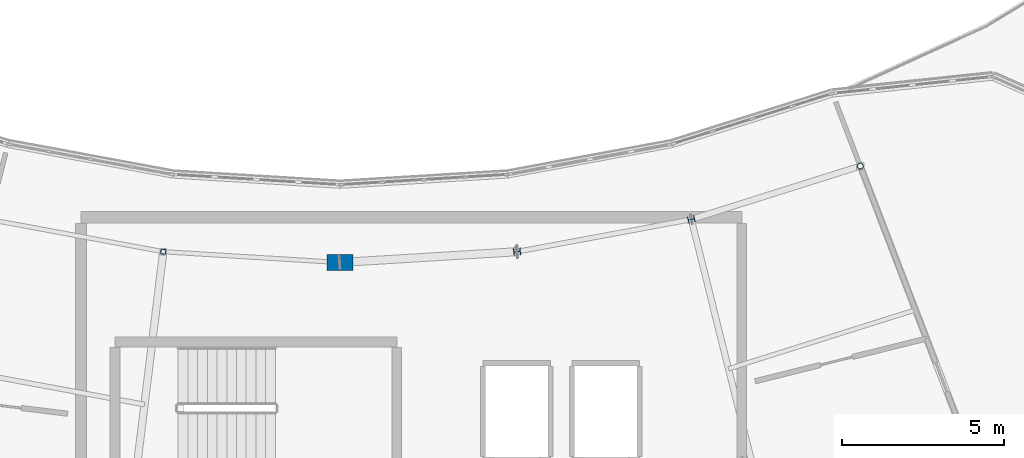
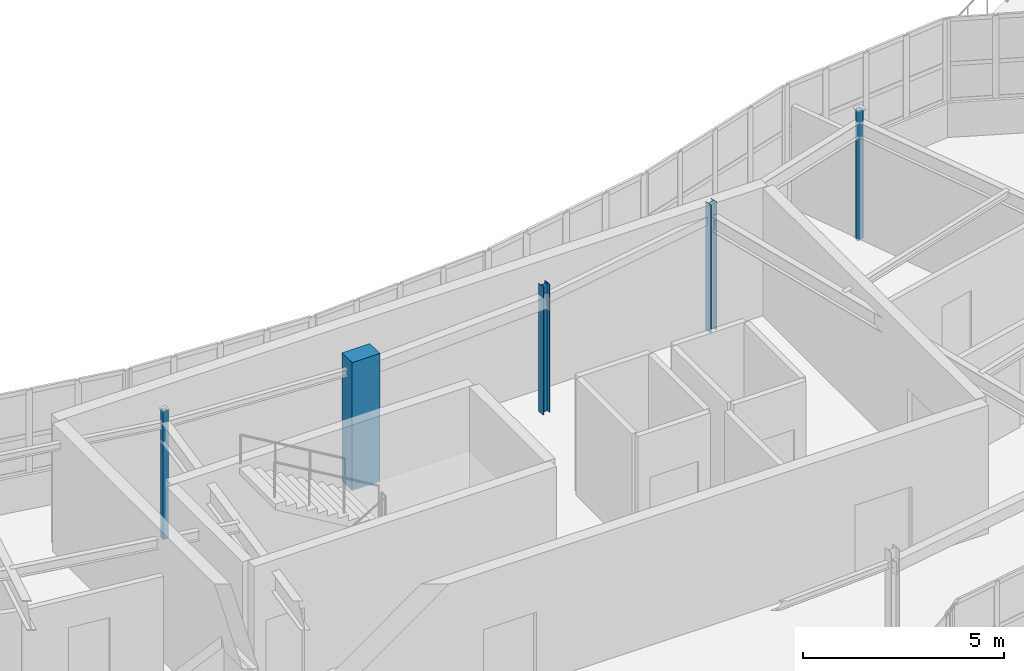
# One storey, part 5 of 65: 5 columns.
"""IFC4 building model written with IfcOpenShell, lengths in metres."""

import ifcopenshell
import ifcopenshell.guid

model = None  # the IFC model being written
_history = None  # IfcOwnerHistory: only IFC2X3 demands one
_inside = {}  # id of a spatial element -> (the spatial element, [elements in it])
_under = {}  # id of a project, library or spatial element -> (it, [spatial elements below it])
_declared = {}  # id of a project -> (the project, [libraries it declares])
_typed = {}  # id of a type object -> (the type object, [elements of that type])
_made_of = {}  # id of a material, layer set ... -> (it, [elements and type objects made of it])


def new_model(schema):
    """Start an empty IFC model of exactly this schema.

    Asked for "IFC4X3", IfcOpenShell would pick the latest addendum, in which some entities
    have other attributes; the version numbers below select the first issue.
    IFC2X3 requires an IfcOwnerHistory on every rooted entity: one is made here for all.
    """
    global model, _history
    if schema == "IFC4X3":
        model = ifcopenshell.file(schema_version=(4, 3, 0, 0))
    else:
        model = ifcopenshell.file(schema=schema)
    _inside.clear()
    _under.clear()
    _declared.clear()
    _typed.clear()
    _made_of.clear()
    _history = None
    if model.schema == "IFC2X3":
        org = make("IfcOrganization", Name="unknown")
        user = make(
            "IfcPersonAndOrganization",
            ThePerson=make("IfcPerson", FamilyName="unknown"),
            TheOrganization=org,
        )
        app = make(
            "IfcApplication",
            ApplicationDeveloper=org,
            Version="unknown",
            ApplicationFullName="unknown",
            ApplicationIdentifier="unknown",
        )
        _history = make(
            "IfcOwnerHistory",
            OwningUser=user,
            OwningApplication=app,
            ChangeAction="ADDED",
            CreationDate=0,
        )
    return model


def make(cls, **values):
    """One entity of the class cls with the attributes given. An attribute that is None is left unset."""
    return model.create_entity(
        cls, **{name: value for name, value in values.items() if value is not None}
    )


def rooted(cls, **values):
    """An entity with a GlobalId (a new one), such as an element, a storey or a relation."""
    return make(cls, GlobalId=ifcopenshell.guid.new(), OwnerHistory=_history, **values)


def si_unit(unit_type, name, prefix=None):
    """IfcSIUnit, for example si_unit("LENGTHUNIT", "METRE", prefix="MILLI")."""
    return make("IfcSIUnit", UnitType=unit_type, Prefix=prefix, Name=name)


def assignment(units):
    """IfcUnitAssignment: the units of a project."""
    return None if units is None else make("IfcUnitAssignment", Units=units)


def point(xyz):
    """IfcCartesianPoint."""
    return None if xyz is None else make("IfcCartesianPoint", Coordinates=xyz)


def direction(xyz):
    """IfcDirection."""
    return None if xyz is None else make("IfcDirection", DirectionRatios=xyz)


def frame(location, z_axis=None, x_axis=None):
    """IfcAxis2Placement3D, a coordinate frame: its origin and axes. An axis left out is left unset."""
    return make(
        "IfcAxis2Placement3D",
        Location=point(location),
        Axis=direction(z_axis),
        RefDirection=direction(x_axis),
    )


def frame_2d(location, x_axis=None):
    """IfcAxis2Placement2D, a coordinate frame in the plane: its origin and x axis."""
    return make(
        "IfcAxis2Placement2D", Location=point(location), RefDirection=direction(x_axis)
    )


def origin():
    """The frame at (0, 0, 0) with its axes left unset."""
    return frame((0.0, 0.0, 0.0))


def origin_2d():
    """The frame at (0, 0) in the plane with its x axis left unset."""
    return frame_2d((0.0, 0.0))


def place(relative_to, where):
    """IfcLocalPlacement: puts the frame where relative to a parent placement (None: the world)."""
    return make(
        "IfcLocalPlacement", PlacementRelTo=relative_to, RelativePlacement=where
    )


def context(
    kind, dimensions, precision=None, world=None, true_north=None, identifier=None
):
    """IfcGeometricRepresentationContext, for example the 3D "Model" context."""
    return make(
        "IfcGeometricRepresentationContext",
        ContextIdentifier=identifier,
        ContextType=kind,
        CoordinateSpaceDimension=dimensions,
        Precision=precision,
        WorldCoordinateSystem=world,
        TrueNorth=true_north,
    )


def subcontext(parent, identifier, kind, view, scale=None):
    """IfcGeometricRepresentationSubContext, for example "Body" below "Model"."""
    return make(
        "IfcGeometricRepresentationSubContext",
        ContextIdentifier=identifier,
        ContextType=kind,
        ParentContext=parent,
        TargetScale=scale,
        TargetView=view,
    )


def project(units=None, contexts=None):
    """IfcProject with its units and contexts."""
    return rooted(
        "IfcProject",
        Name="project",
        RepresentationContexts=contexts,
        UnitsInContext=assignment(units),
    )


def spatial(cls, under=None, at=None, **own):
    """A site, building, storey or space (cls), placed at a placement, below another one or the project."""
    s = rooted(cls, ObjectPlacement=at, **own)
    if under is not None:
        _under.setdefault(under.id(), (under, []))[1].append(s)
    return s


def profile(cls, at=None, kind="AREA", **sizes):
    """A parametric profile (cls). Its sizes go by their IFC names, for example OverallWidth=200.0."""
    return make(cls, ProfileType=kind, Position=at, **sizes)


def rectangle(**sizes):
    """IfcRectangleProfileDef."""
    return profile("IfcRectangleProfileDef", **sizes)


def hollow_rectangle(**sizes):
    """IfcRectangleHollowProfileDef."""
    return profile("IfcRectangleHollowProfileDef", **sizes)


def hollow_circle(**sizes):
    """IfcCircleHollowProfileDef."""
    return profile("IfcCircleHollowProfileDef", **sizes)


def i_section(**sizes):
    """IfcIShapeProfileDef."""
    return profile("IfcIShapeProfileDef", **sizes)


def extrude(swept, where, along, depth):
    """IfcExtrudedAreaSolid: the profile swept, set in the frame where, extruded along a direction by depth."""
    return make(
        "IfcExtrudedAreaSolid",
        SweptArea=swept,
        Position=where,
        ExtrudedDirection=direction(along),
        Depth=depth,
    )


def shape(context_of_items, identifier, shape_type, items):
    """IfcShapeRepresentation: the items that make up one representation, for example the "Body"."""
    return make(
        "IfcShapeRepresentation",
        ContextOfItems=context_of_items,
        RepresentationIdentifier=identifier,
        RepresentationType=shape_type,
        Items=items,
    )


def material(Name=None, Category=None):
    """IfcMaterial."""
    return make("IfcMaterial", Name=Name, Category=Category)


def material_profile(
    of_material, cross_section, Name=None, Category=None, Priority=None
):
    """IfcMaterialProfile: a cross section and its material."""
    return make(
        "IfcMaterialProfile",
        Name=Name,
        Material=of_material,
        Profile=cross_section,
        Priority=Priority,
        Category=Category,
    )


def profile_set(profiles, Name=None, composite=None):
    """IfcMaterialProfileSet."""
    return make(
        "IfcMaterialProfileSet",
        Name=Name,
        MaterialProfiles=profiles,
        CompositeProfile=composite,
    )


def made_of(thing, what):
    """Note that an element or type object is made of a material, layer set ...; save() writes the relation."""
    if what is not None:
        _made_of.setdefault(what.id(), (what, []))[1].append(thing)
    return thing


def type_object(cls, material=None, **own):
    """A type object (cls), such as IfcWallType, which elements share."""
    return made_of(rooted(cls, **own), material)


def element(
    cls,
    number,
    at=None,
    inside=None,
    cuts=None,
    type_object=None,
    material=None,
    context=None,
    identifier="Body",
    shape_type=None,
    held_by="IfcProductDefinitionShape",
    body=None,
    shapes=None,
    **own,
):
    """One element of the class cls, such as IfcWall. Its Tag is "e" and its number.

    at: its placement. inside: the storey or other place that contains it. cuts: it is an
    opening in that element (IfcRelVoidsElement). A single representation is given by context,
    identifier, shape_type and body (its items); several are given by shapes. held_by: the class
    of the entity that holds the representations. save() writes the other relations.
    """
    e = rooted(cls, Tag="e%d" % number, ObjectPlacement=at, **own)
    if body is not None:
        shapes = [shape(context, identifier, shape_type, body)]
    if shapes is not None:
        e.Representation = make(held_by, Representations=shapes)
    if inside is not None:
        _inside.setdefault(inside.id(), (inside, []))[1].append(e)
    if cuts is not None:
        rooted(
            "IfcRelVoidsElement", RelatingBuildingElement=cuts, RelatedOpeningElement=e
        )
    if type_object is not None:
        _typed.setdefault(type_object.id(), (type_object, []))[1].append(e)
    return made_of(e, material)


def aggregate(whole, parts):
    """IfcRelAggregates: a whole, such as a stair, and the parts it consists of."""
    return rooted("IfcRelAggregates", RelatingObject=whole, RelatedObjects=parts)


def save(model, path):
    """Write the relations noted so far, then the file.

    IfcRelAggregates (storeys below a building ...), IfcRelContainedInSpatialStructure (elements
    in a storey), IfcRelDefinesByType, IfcRelAssociatesMaterial and IfcRelDeclares: one each for
    every whole, place, type object, material and project.
    """
    for whole, parts in _under.values():
        aggregate(whole, parts)
    for where, things in _inside.values():
        rooted(
            "IfcRelContainedInSpatialStructure",
            RelatedElements=things,
            RelatingStructure=where,
        )
    for kind, things in _typed.values():
        rooted("IfcRelDefinesByType", RelatedObjects=things, RelatingType=kind)
    for what, things in _made_of.values():
        rooted("IfcRelAssociatesMaterial", RelatedObjects=things, RelatingMaterial=what)
    for by, libraries in _declared.values():
        rooted("IfcRelDeclares", RelatingContext=by, RelatedDefinitions=libraries)
    model.write(path)


model = new_model("IFC4")

# Units and contexts
model_context = context("Model", 3, precision=1e-05, world=origin(), true_north=direction((0.0, 1.0)))
body_context = subcontext(model_context, "Body", "Model", "MODEL_VIEW")
ifc_project = project(units=[si_unit("LENGTHUNIT", "METRE"), si_unit("AREAUNIT", "SQUARE_METRE"), si_unit("VOLUMEUNIT", "CUBIC_METRE"), si_unit("PLANEANGLEUNIT", "RADIAN"), si_unit("MASSUNIT", "GRAM", prefix="KILO")], contexts=[model_context])

# Site, building, storey
site_placement = place(None, origin())
site = spatial("IfcSite", under=ifc_project, at=site_placement, CompositionType="ELEMENT")
building_placement = place(site_placement, origin())
building = spatial("IfcBuilding", under=site, at=building_placement, Name="Tarnwether General Hospital", CompositionType="ELEMENT")
storey_placement = place(building_placement, frame((0.0, 0.0, 22.199951171875)))
storey = spatial("IfcBuildingStorey", under=building, at=storey_placement, Name="L05", CompositionType="ELEMENT", Elevation=22.199951171875)

# Columns
ifc_material_1 = material(Name="Concrete 50 MPa", Category="concrete")
ifc_material_profile_1 = material_profile(ifc_material_1, rectangle(XDim=0.5, YDim=0.800048828125, at=origin_2d()), Name="RC-PIL-500x800")
ifc_profile_set_1 = profile_set([ifc_material_profile_1], Name="Concrete 50 MPa")
column_type_1 = type_object("IfcColumnType", Name="COL-23", PredefinedType="PILASTER", material=ifc_profile_set_1)
column_1_placement = place(storey_placement, frame((92.0, 18.199951171875, 0.0), z_axis=(0.0, 0.0, 1.0), x_axis=(0.0, 1.0, 0.0)))
element("IfcColumn", 1, at=column_1_placement, inside=storey, type_object=column_type_1, Name="Column COLG-L05-9200_1820", PredefinedType="PILASTER", context=body_context, shape_type="SweptSolid", body=[
    extrude(rectangle(XDim=0.5, YDim=0.800048828125, at=origin_2d()), origin(), (0.0, 0.0, 1.0), 3.900146484375),
])
ifc_material_2 = material(Name="Steel Grade 350 (350 MPa)", Category="steel")
ifc_material_profile_2 = material_profile(ifc_material_2, i_section(OverallWidth=0.205078125, OverallDepth=0.2099609375, WebThickness=0.00927734375, FlangeThickness=0.01416015625, at=origin_2d()), Name="200UC59.5")
ifc_profile_set_2 = profile_set([ifc_material_profile_2], Name="Steel Grade 350 (350 MPa)")
column_type_2 = type_object("IfcColumnType", Name="COL-25", PredefinedType="COLUMN", material=ifc_profile_set_2)
column_2_placement = place(storey_placement, frame((97.4599609375, 18.533935546875, 0.0), z_axis=(0.0, 0.0, 1.0), x_axis=(-0.121869343405, 0.992546151641, 0.0)))
element("IfcColumn", 2, at=column_2_placement, inside=storey, type_object=column_type_2, Name="Column COLG-L05-9746_1853", PredefinedType="COLUMN", context=body_context, shape_type="SweptSolid", body=[
    extrude(i_section(OverallWidth=0.205078125, OverallDepth=0.2099609375, WebThickness=0.00927734375, FlangeThickness=0.01416015625, at=origin_2d()), origin(), (0.0, 0.0, 1.0), 3.900146484375),
])
ifc_material_3 = material(Name="Steel Grade 350 (350 MPa)", Category="steel")
ifc_material_profile_3 = material_profile(ifc_material_3, i_section(OverallWidth=0.202880859375, OverallDepth=0.202880859375, WebThickness=0.00732421875, FlangeThickness=0.010986328125, at=origin_2d()), Name="200UC46.2")
ifc_profile_set_3 = profile_set([ifc_material_profile_3], Name="Steel Grade 350 (350 MPa)")
column_type_3 = type_object("IfcColumnType", Name="COL-27", PredefinedType="COLUMN", material=ifc_profile_set_3)
column_3_placement = place(storey_placement, frame((102.837890625, 19.531005859375, 0.0), z_axis=(0.0, 0.0, 1.0), x_axis=(-0.2419218956, 0.970295726276, 0.0)))
element("IfcColumn", 3, at=column_3_placement, inside=storey, type_object=column_type_3, Name="Column COLG-L05-10284_1953", PredefinedType="COLUMN", context=body_context, shape_type="SweptSolid", body=[
    extrude(i_section(OverallWidth=0.202880859375, OverallDepth=0.202880859375, WebThickness=0.00732421875, FlangeThickness=0.010986328125, at=origin_2d()), origin(), (0.0, 0.0, 1.0), 3.900146484375),
])
ifc_material_4 = material(Name="Steel Grade C350L0 (350 MPa)", Category="steel")
ifc_material_profile_4 = material_profile(ifc_material_4, hollow_circle(Radius=0.096923828125, WallThickness=0.008056640625, at=origin_2d()), Name="CHS193.7x8.0")
ifc_profile_set_4 = profile_set([ifc_material_profile_4], Name="Steel Grade C350L0 (350 MPa)")
column_type_4 = type_object("IfcColumnType", Name="COL-29", PredefinedType="COLUMN", material=ifc_profile_set_4)
column_4_placement = place(storey_placement, frame((108.054931640625, 21.176025390625, 0.0), z_axis=(0.0, 0.0, 1.0), x_axis=(-0.358367949545, 0.933580426497, 0.0)))
element("IfcColumn", 4, at=column_4_placement, inside=storey, type_object=column_type_4, Name="Column COLG-L05-10806_2118", PredefinedType="COLUMN", context=body_context, shape_type="SweptSolid", body=[
    extrude(hollow_circle(Radius=0.096923828125, WallThickness=0.008056640625, at=origin_2d()), origin(), (0.0, 0.0, 1.0), 3.900146484375),
])
ifc_material_5 = material(Name="Steel Grade C350L0 (350 MPa)", Category="steel")
ifc_material_profile_5 = material_profile(ifc_material_5, hollow_rectangle(XDim=0.14990234375, YDim=0.14990234375, WallThickness=0.008056640625, at=origin_2d()), Name="SHS150x150x8")
ifc_profile_set_5 = profile_set([ifc_material_profile_5], Name="Steel Grade C350L0 (350 MPa)")
column_type_5 = type_object("IfcColumnType", Name="COL-33", PredefinedType="COLUMN", material=ifc_profile_set_5)
column_5_placement = place(storey_placement, frame((86.5400390625, 18.533935546875, 0.0), z_axis=(0.0, 0.0, 1.0), x_axis=(0.121869343405, 0.992546151641, 0.0)))
element("IfcColumn", 5, at=column_5_placement, inside=storey, type_object=column_type_5, Name="Column COLG-L05-8654_1853", PredefinedType="COLUMN", context=body_context, shape_type="SweptSolid", body=[
    extrude(hollow_rectangle(XDim=0.14990234375, YDim=0.14990234375, WallThickness=0.008056640625, at=origin_2d()), origin(), (0.0, 0.0, 1.0), 3.900146484375),
])

save(model, "model.ifc")
